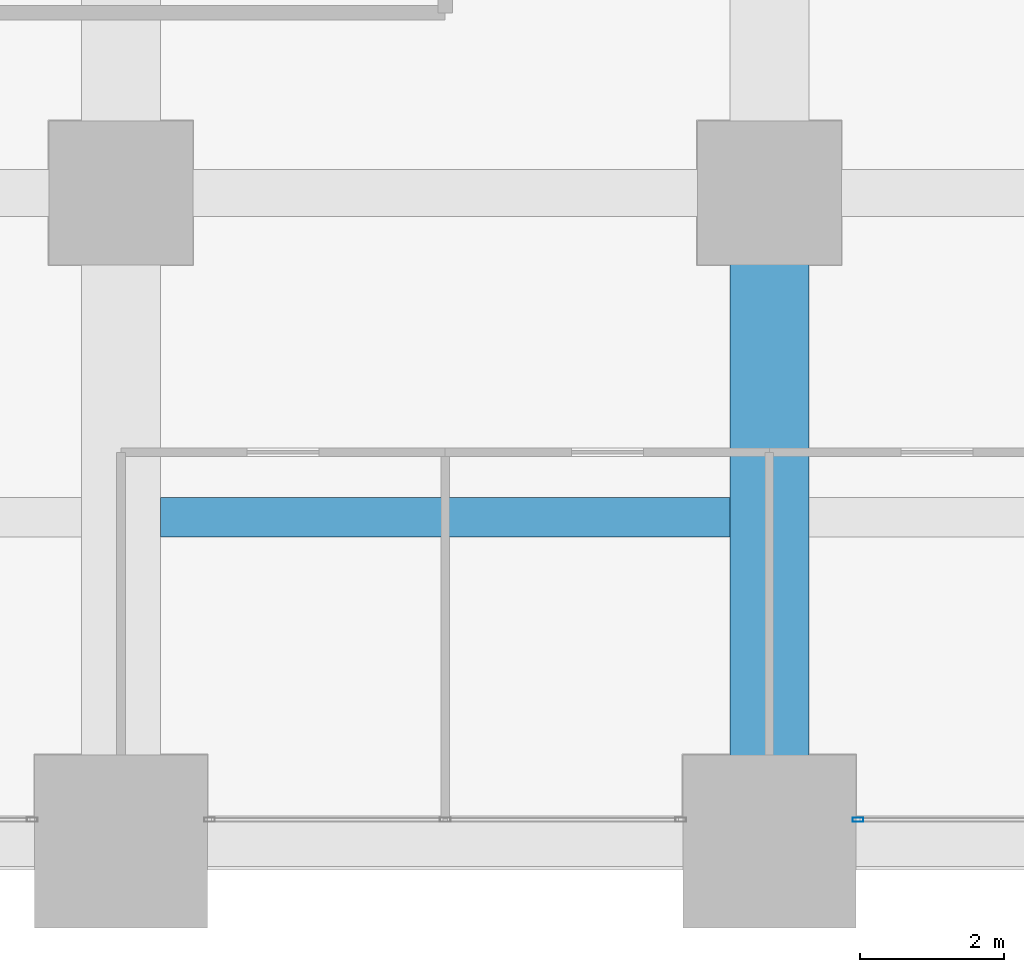
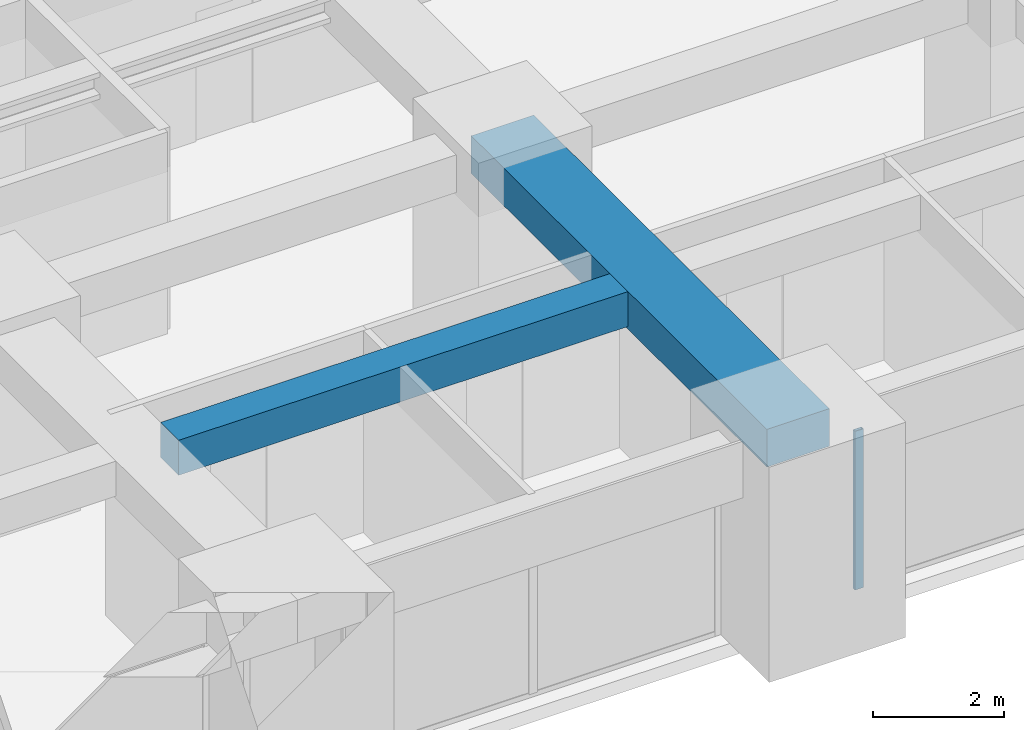
# One storey, part 14 of 41: 2 beams, 1 member, 1 element without a shape of its own.
"""IFC4 building model written with IfcOpenShell, lengths in metres."""

from ifc_helpers import new_model, si_unit, direction, frame, origin, origin_2d, place, context, subcontext, project, spatial, rectangle, hollow_rectangle, extrude, material, material_profile, profile_set, type_object, element, aggregate, save


model = new_model("IFC4")

# Units and contexts
model_context = context("Model", 3, precision=1e-05, world=origin(), true_north=direction((0.0, 1.0)))
body_context = subcontext(model_context, "Body", "Model", "MODEL_VIEW")
ifc_project = project(units=[si_unit("LENGTHUNIT", "METRE"), si_unit("AREAUNIT", "SQUARE_METRE"), si_unit("VOLUMEUNIT", "CUBIC_METRE"), si_unit("PLANEANGLEUNIT", "RADIAN"), si_unit("MASSUNIT", "GRAM", prefix="KILO")], contexts=[model_context])

# Site, building, storey
site_placement = place(None, origin())
site = spatial("IfcSite", under=ifc_project, at=site_placement, CompositionType="ELEMENT")
building_placement = place(site_placement, origin())
building = spatial("IfcBuilding", under=site, at=building_placement, Name="Zorevar Civic Tower", CompositionType="ELEMENT")
storey_placement = place(building_placement, frame((0.0, 0.0, 101.0)))
storey = spatial("IfcBuildingStorey", under=building, at=storey_placement, Name="L24", CompositionType="ELEMENT", Elevation=101.0)

# Beams
ifc_material_1 = material(Name="Concrete C50/60", Category="concrete")
ifc_material_profile_1 = material_profile(ifc_material_1, rectangle(XDim=1.10009765625, YDim=0.699951171875, at=origin_2d()), Name="RC 1100x700")
ifc_profile_set_1 = profile_set([ifc_material_profile_1], Name="Concrete C50/60")
beam_type_1 = type_object("IfcBeamType", Name="Beam RC 1100x700", PredefinedType="BEAM", material=ifc_profile_set_1)
beam_1_placement = place(storey_placement, frame((45.0, 0.0, 3.39990234375), z_axis=(0.0, 1.0, 0.0), x_axis=(-1.0, 0.0, 0.0)))
element("IfcBeam", 1, at=beam_1_placement, inside=storey, type_object=beam_type_1, Name="Girder L25", PredefinedType="BEAM", context=body_context, shape_type="SweptSolid", body=[
    extrude(rectangle(XDim=1.10009765625, YDim=0.699951171875, at=origin_2d()), origin(), (0.0, 0.0, 1.0), 9.0),
])
ifc_material_2 = material(Name="Concrete C50/60", Category="concrete")
ifc_material_profile_2 = material_profile(ifc_material_2, rectangle(XDim=0.550048828125, YDim=0.64990234375, at=origin_2d()), Name="RC 550x650")
ifc_profile_set_2 = profile_set([ifc_material_profile_2], Name="Concrete C50/60")
beam_type_2 = type_object("IfcBeamType", Name="Beam RC 550x650", PredefinedType="BEAM", material=ifc_profile_set_2)
beam_2_placement = place(storey_placement, frame((36.550048828125, 4.5, 3.425048828125), z_axis=(1.0, 0.0, 0.0), x_axis=(0.0, 1.0, 0.0)))
element("IfcBeam", 2, at=beam_2_placement, inside=storey, type_object=beam_type_2, Name="Secondary beam L25", PredefinedType="BEAM", context=body_context, shape_type="SweptSolid", body=[
    extrude(rectangle(XDim=0.550048828125, YDim=0.64990234375, at=origin_2d()), origin(), (0.0, 0.0, 1.0), 7.89990234375),
])

# Curtain wall, member
ifc_material_3 = material(Name="Dark grey solar-control glass in black aluminium frame", Category="aluminium")
curtain_wall_type = type_object("IfcCurtainWallType", Name="Curtain wall CW3 mid zone", PredefinedType="NOTDEFINED", material=ifc_material_3)
curtain_wall_placement = place(storey_placement, origin())
curtain_wall = element("IfcCurtainWall", 3, at=curtain_wall_placement, inside=storey, type_object=curtain_wall_type, Name="CW3 L24", PredefinedType="NOTDEFINED")
ifc_material_4 = material(Name="Aluminium, black anodised", Category="aluminium")
ifc_material_profile_3 = material_profile(ifc_material_4, hollow_rectangle(XDim=0.06005859375, YDim=0.14990234375, WallThickness=0.00390625, at=origin_2d()), Name="AL 150x60x4")
ifc_profile_set_3 = profile_set([ifc_material_profile_3], Name="Aluminium, black anodised")
member_type = type_object("IfcMemberType", Name="CW3 mullion AL 150x60x4", PredefinedType="MULLION", material=ifc_profile_set_3)
member_placement = place(storey_placement, frame((46.22998046875, 0.300048828125, 0.0), z_axis=(0.0, 0.0, 1.0), x_axis=(0.0, 1.0, 0.0)))
member = element("IfcMember", 4, at=member_placement, type_object=member_type, Name="CW3 mullion 1", PredefinedType="MULLION", context=body_context, shape_type="SweptSolid", body=[
    extrude(hollow_rectangle(XDim=0.06005859375, YDim=0.14990234375, WallThickness=0.00390625, at=origin_2d()), origin(), (0.0, 0.0, 1.0), 2.949951171875),
])
aggregate(curtain_wall, [member])

save(model, "model.ifc")
